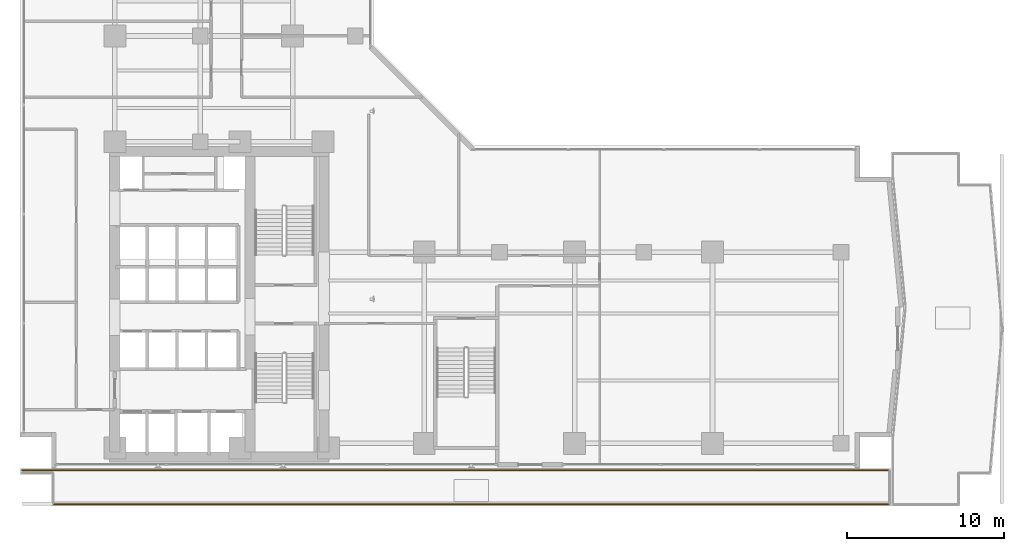
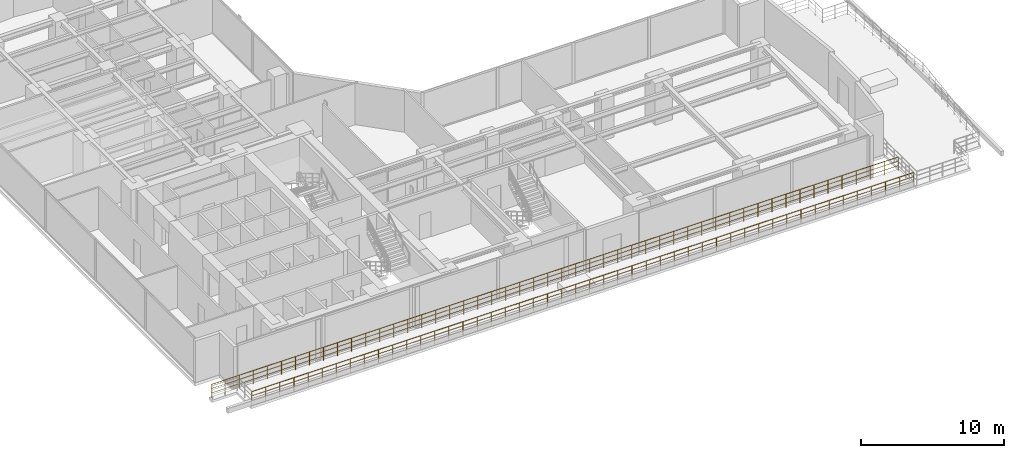
# One storey, part 22 of 26: 2 railings.
"""IFC4 building model written with IfcOpenShell, lengths in metres."""

from ifc_helpers import new_model, si_unit, direction, frame, origin, origin_2d, place, context, subcontext, project, spatial, circle, extrude, material, type_object, element, save


model = new_model("IFC4")

# Units and contexts
model_context = context("Model", 3, precision=1e-05, world=origin(), true_north=direction((0.0, 1.0)))
body_context = subcontext(model_context, "Body", "Model", "MODEL_VIEW")
ifc_project = project(units=[si_unit("LENGTHUNIT", "METRE"), si_unit("AREAUNIT", "SQUARE_METRE"), si_unit("VOLUMEUNIT", "CUBIC_METRE"), si_unit("PLANEANGLEUNIT", "RADIAN"), si_unit("MASSUNIT", "GRAM", prefix="KILO")], contexts=[model_context])

# Site, building, storey
site_placement = place(None, origin())
site = spatial("IfcSite", under=ifc_project, at=site_placement, CompositionType="ELEMENT")
building_placement = place(site_placement, origin())
building = spatial("IfcBuilding", under=site, at=building_placement, Name="Kolvaren Waterfront Exchange", CompositionType="ELEMENT")
storey_placement = place(building_placement, frame((0.0, 0.0, 87.89990234375)))
storey = spatial("IfcBuildingStorey", under=building, at=storey_placement, Name="L22", CompositionType="ELEMENT", Elevation=87.89990234375)

# Railings
ifc_material = material(Name="Anodised bronze aluminium 6063-T6", Category="aluminium")
railing_type = type_object("IfcRailingType", Name="ARC-GUARD-EXT", PredefinedType="GUARDRAIL", material=ifc_material)
railing_1_placement = place(storey_placement, frame((1.52001953125, 3.489990234375, 0.0)))
element("IfcRailing", 1, at=railing_1_placement, inside=storey, type_object=railing_type, Name="L22 sky-garden perimeter balustrade 2", PredefinedType="GUARDRAIL", context=body_context, shape_type="SweptSolid", body=[
    extrude(circle(Radius=0.02392578125, at=origin_2d()), frame((0.0, 0.0, 1.1259765625), z_axis=(1.0, 0.0, 0.0), x_axis=(0.0, 1.0, 0.0)), (0.0, 0.0, 1.0), 55.35009765625),
    extrude(circle(Radius=0.01611328125, at=origin_2d()), frame((0.0, 0.0, 0.390869140625), z_axis=(1.0, 0.0, 0.0), x_axis=(0.0, 1.0, 0.0)), (0.0, 0.0, 1.0), 55.35009765625),
    extrude(circle(Radius=0.01611328125, at=origin_2d()), frame((0.0, 0.0, 0.7705078125), z_axis=(1.0, 0.0, 0.0), x_axis=(0.0, 1.0, 0.0)), (0.0, 0.0, 1.0), 55.35009765625),
    extrude(circle(Radius=0.02099609375, at=origin_2d()), origin(), (0.0, 0.0, 1.0), 1.101806640625),
    extrude(circle(Radius=0.02099609375, at=origin_2d()), frame((1.129638671875, 0.0, 0.0)), (0.0, 0.0, 1.0), 1.101806640625),
    extrude(circle(Radius=0.02099609375, at=origin_2d()), frame((2.25927734375, 0.0, 0.0)), (0.0, 0.0, 1.0), 1.101806640625),
    extrude(circle(Radius=0.02099609375, at=origin_2d()), frame((3.388671875, 0.0, 0.0)), (0.0, 0.0, 1.0), 1.101806640625),
    extrude(circle(Radius=0.02099609375, at=origin_2d()), frame((4.518310546875, 0.0, 0.0)), (0.0, 0.0, 1.0), 1.101806640625),
    extrude(circle(Radius=0.02099609375, at=origin_2d()), frame((5.64794921875, 0.0, 0.0)), (0.0, 0.0, 1.0), 1.101806640625),
    extrude(circle(Radius=0.02099609375, at=origin_2d()), frame((6.777587890625, 0.0, 0.0)), (0.0, 0.0, 1.0), 1.101806640625),
    extrude(circle(Radius=0.02099609375, at=origin_2d()), frame((7.9072265625, 0.0, 0.0)), (0.0, 0.0, 1.0), 1.101806640625),
    extrude(circle(Radius=0.02099609375, at=origin_2d()), frame((9.036865234375, 0.0, 0.0)), (0.0, 0.0, 1.0), 1.101806640625),
    extrude(circle(Radius=0.02099609375, at=origin_2d()), frame((10.166259765625, 0.0, 0.0)), (0.0, 0.0, 1.0), 1.101806640625),
    extrude(circle(Radius=0.02099609375, at=origin_2d()), frame((11.2958984375, 0.0, 0.0)), (0.0, 0.0, 1.0), 1.101806640625),
    extrude(circle(Radius=0.02099609375, at=origin_2d()), frame((12.425537109375, 0.0, 0.0)), (0.0, 0.0, 1.0), 1.101806640625),
    extrude(circle(Radius=0.02099609375, at=origin_2d()), frame((13.55517578125, 0.0, 0.0)), (0.0, 0.0, 1.0), 1.101806640625),
    extrude(circle(Radius=0.02099609375, at=origin_2d()), frame((14.684814453125, 0.0, 0.0)), (0.0, 0.0, 1.0), 1.101806640625),
    extrude(circle(Radius=0.02099609375, at=origin_2d()), frame((15.814208984375, 0.0, 0.0)), (0.0, 0.0, 1.0), 1.101806640625),
    extrude(circle(Radius=0.02099609375, at=origin_2d()), frame((16.94384765625, 0.0, 0.0)), (0.0, 0.0, 1.0), 1.101806640625),
    extrude(circle(Radius=0.02099609375, at=origin_2d()), frame((18.073486328125, 0.0, 0.0)), (0.0, 0.0, 1.0), 1.101806640625),
    extrude(circle(Radius=0.02099609375, at=origin_2d()), frame((19.203125, 0.0, 0.0)), (0.0, 0.0, 1.0), 1.101806640625),
    extrude(circle(Radius=0.02099609375, at=origin_2d()), frame((20.332763671875, 0.0, 0.0)), (0.0, 0.0, 1.0), 1.101806640625),
    extrude(circle(Radius=0.02099609375, at=origin_2d()), frame((21.46240234375, 0.0, 0.0)), (0.0, 0.0, 1.0), 1.101806640625),
    extrude(circle(Radius=0.02099609375, at=origin_2d()), frame((22.591796875, 0.0, 0.0)), (0.0, 0.0, 1.0), 1.101806640625),
    extrude(circle(Radius=0.02099609375, at=origin_2d()), frame((23.721435546875, 0.0, 0.0)), (0.0, 0.0, 1.0), 1.101806640625),
    extrude(circle(Radius=0.02099609375, at=origin_2d()), frame((24.85107421875, 0.0, 0.0)), (0.0, 0.0, 1.0), 1.101806640625),
    extrude(circle(Radius=0.02099609375, at=origin_2d()), frame((25.980712890625, 0.0, 0.0)), (0.0, 0.0, 1.0), 1.101806640625),
    extrude(circle(Radius=0.02099609375, at=origin_2d()), frame((27.1103515625, 0.0, 0.0)), (0.0, 0.0, 1.0), 1.101806640625),
    extrude(circle(Radius=0.02099609375, at=origin_2d()), frame((28.23974609375, 0.0, 0.0)), (0.0, 0.0, 1.0), 1.101806640625),
    extrude(circle(Radius=0.02099609375, at=origin_2d()), frame((29.369384765625, 0.0, 0.0)), (0.0, 0.0, 1.0), 1.101806640625),
    extrude(circle(Radius=0.02099609375, at=origin_2d()), frame((30.4990234375, 0.0, 0.0)), (0.0, 0.0, 1.0), 1.101806640625),
    extrude(circle(Radius=0.02099609375, at=origin_2d()), frame((31.628662109375, 0.0, 0.0)), (0.0, 0.0, 1.0), 1.101806640625),
    extrude(circle(Radius=0.02099609375, at=origin_2d()), frame((32.75830078125, 0.0, 0.0)), (0.0, 0.0, 1.0), 1.101806640625),
    extrude(circle(Radius=0.02099609375, at=origin_2d()), frame((33.8876953125, 0.0, 0.0)), (0.0, 0.0, 1.0), 1.101806640625),
    extrude(circle(Radius=0.02099609375, at=origin_2d()), frame((35.017333984375, 0.0, 0.0)), (0.0, 0.0, 1.0), 1.101806640625),
    extrude(circle(Radius=0.02099609375, at=origin_2d()), frame((36.14697265625, 0.0, 0.0)), (0.0, 0.0, 1.0), 1.101806640625),
    extrude(circle(Radius=0.02099609375, at=origin_2d()), frame((37.276611328125, 0.0, 0.0)), (0.0, 0.0, 1.0), 1.101806640625),
    extrude(circle(Radius=0.02099609375, at=origin_2d()), frame((38.40625, 0.0, 0.0)), (0.0, 0.0, 1.0), 1.101806640625),
    extrude(circle(Radius=0.02099609375, at=origin_2d()), frame((39.535888671875, 0.0, 0.0)), (0.0, 0.0, 1.0), 1.101806640625),
    extrude(circle(Radius=0.02099609375, at=origin_2d()), frame((40.665283203125, 0.0, 0.0)), (0.0, 0.0, 1.0), 1.101806640625),
    extrude(circle(Radius=0.02099609375, at=origin_2d()), frame((41.794921875, 0.0, 0.0)), (0.0, 0.0, 1.0), 1.101806640625),
    extrude(circle(Radius=0.02099609375, at=origin_2d()), frame((42.924560546875, 0.0, 0.0)), (0.0, 0.0, 1.0), 1.101806640625),
    extrude(circle(Radius=0.02099609375, at=origin_2d()), frame((44.05419921875, 0.0, 0.0)), (0.0, 0.0, 1.0), 1.101806640625),
    extrude(circle(Radius=0.02099609375, at=origin_2d()), frame((45.183837890625, 0.0, 0.0)), (0.0, 0.0, 1.0), 1.101806640625),
    extrude(circle(Radius=0.02099609375, at=origin_2d()), frame((46.313232421875, 0.0, 0.0)), (0.0, 0.0, 1.0), 1.101806640625),
    extrude(circle(Radius=0.02099609375, at=origin_2d()), frame((47.44287109375, 0.0, 0.0)), (0.0, 0.0, 1.0), 1.101806640625),
    extrude(circle(Radius=0.02099609375, at=origin_2d()), frame((48.572509765625, 0.0, 0.0)), (0.0, 0.0, 1.0), 1.101806640625),
    extrude(circle(Radius=0.02099609375, at=origin_2d()), frame((49.7021484375, 0.0, 0.0)), (0.0, 0.0, 1.0), 1.101806640625),
    extrude(circle(Radius=0.02099609375, at=origin_2d()), frame((50.831787109375, 0.0, 0.0)), (0.0, 0.0, 1.0), 1.101806640625),
    extrude(circle(Radius=0.02099609375, at=origin_2d()), frame((51.96142578125, 0.0, 0.0)), (0.0, 0.0, 1.0), 1.101806640625),
    extrude(circle(Radius=0.02099609375, at=origin_2d()), frame((53.0908203125, 0.0, 0.0)), (0.0, 0.0, 1.0), 1.101806640625),
    extrude(circle(Radius=0.02099609375, at=origin_2d()), frame((54.220458984375, 0.0, 0.0)), (0.0, 0.0, 1.0), 1.101806640625),
    extrude(circle(Radius=0.02099609375, at=origin_2d()), frame((55.35009765625, 0.0, 0.0)), (0.0, 0.0, 1.0), 1.101806640625),
])
railing_2_placement = place(storey_placement, frame((56.8701171875, 1.320068359375, 0.0)))
element("IfcRailing", 2, at=railing_2_placement, inside=storey, type_object=railing_type, Name="L22 sky-garden perimeter balustrade 2", PredefinedType="GUARDRAIL", context=body_context, shape_type="SweptSolid", body=[
    extrude(circle(Radius=0.02392578125, at=origin_2d()), frame((0.0, 0.0, 1.1259765625), z_axis=(-1.0, 0.0, 0.0), x_axis=(0.0, -1.0, 0.0)), (0.0, 0.0, 1.0), 53.35009765625),
    extrude(circle(Radius=0.01611328125, at=origin_2d()), frame((0.0, 0.0, 0.390869140625), z_axis=(-1.0, 0.0, 0.0), x_axis=(0.0, -1.0, 0.0)), (0.0, 0.0, 1.0), 53.35009765625),
    extrude(circle(Radius=0.01611328125, at=origin_2d()), frame((0.0, 0.0, 0.7705078125), z_axis=(-1.0, 0.0, 0.0), x_axis=(0.0, -1.0, 0.0)), (0.0, 0.0, 1.0), 53.35009765625),
    extrude(circle(Radius=0.02099609375, at=origin_2d()), origin(), (0.0, 0.0, 1.0), 1.101806640625),
    extrude(circle(Radius=0.02099609375, at=origin_2d()), frame((-1.135009765625, 0.0, 0.0)), (0.0, 0.0, 1.0), 1.101806640625),
    extrude(circle(Radius=0.02099609375, at=origin_2d()), frame((-2.270263671875, 0.0, 0.0)), (0.0, 0.0, 1.0), 1.101806640625),
    extrude(circle(Radius=0.02099609375, at=origin_2d()), frame((-3.4052734375, 0.0, 0.0)), (0.0, 0.0, 1.0), 1.101806640625),
    extrude(circle(Radius=0.02099609375, at=origin_2d()), frame((-4.54052734375, 0.0, 0.0)), (0.0, 0.0, 1.0), 1.101806640625),
    extrude(circle(Radius=0.02099609375, at=origin_2d()), frame((-5.675537109375, 0.0, 0.0)), (0.0, 0.0, 1.0), 1.101806640625),
    extrude(circle(Radius=0.02099609375, at=origin_2d()), frame((-6.810546875, 0.0, 0.0)), (0.0, 0.0, 1.0), 1.101806640625),
    extrude(circle(Radius=0.02099609375, at=origin_2d()), frame((-7.94580078125, 0.0, 0.0)), (0.0, 0.0, 1.0), 1.101806640625),
    extrude(circle(Radius=0.02099609375, at=origin_2d()), frame((-9.080810546875, 0.0, 0.0)), (0.0, 0.0, 1.0), 1.101806640625),
    extrude(circle(Radius=0.02099609375, at=origin_2d()), frame((-10.216064453125, 0.0, 0.0)), (0.0, 0.0, 1.0), 1.101806640625),
    extrude(circle(Radius=0.02099609375, at=origin_2d()), frame((-11.35107421875, 0.0, 0.0)), (0.0, 0.0, 1.0), 1.101806640625),
    extrude(circle(Radius=0.02099609375, at=origin_2d()), frame((-12.486083984375, 0.0, 0.0)), (0.0, 0.0, 1.0), 1.101806640625),
    extrude(circle(Radius=0.02099609375, at=origin_2d()), frame((-13.621337890625, 0.0, 0.0)), (0.0, 0.0, 1.0), 1.101806640625),
    extrude(circle(Radius=0.02099609375, at=origin_2d()), frame((-14.75634765625, 0.0, 0.0)), (0.0, 0.0, 1.0), 1.101806640625),
    extrude(circle(Radius=0.02099609375, at=origin_2d()), frame((-15.8916015625, 0.0, 0.0)), (0.0, 0.0, 1.0), 1.101806640625),
    extrude(circle(Radius=0.02099609375, at=origin_2d()), frame((-17.026611328125, 0.0, 0.0)), (0.0, 0.0, 1.0), 1.101806640625),
    extrude(circle(Radius=0.02099609375, at=origin_2d()), frame((-18.16162109375, 0.0, 0.0)), (0.0, 0.0, 1.0), 1.101806640625),
    extrude(circle(Radius=0.02099609375, at=origin_2d()), frame((-19.296875, 0.0, 0.0)), (0.0, 0.0, 1.0), 1.101806640625),
    extrude(circle(Radius=0.02099609375, at=origin_2d()), frame((-20.431884765625, 0.0, 0.0)), (0.0, 0.0, 1.0), 1.101806640625),
    extrude(circle(Radius=0.02099609375, at=origin_2d()), frame((-21.567138671875, 0.0, 0.0)), (0.0, 0.0, 1.0), 1.101806640625),
    extrude(circle(Radius=0.02099609375, at=origin_2d()), frame((-22.7021484375, 0.0, 0.0)), (0.0, 0.0, 1.0), 1.101806640625),
    extrude(circle(Radius=0.02099609375, at=origin_2d()), frame((-23.837158203125, 0.0, 0.0)), (0.0, 0.0, 1.0), 1.101806640625),
    extrude(circle(Radius=0.02099609375, at=origin_2d()), frame((-24.972412109375, 0.0, 0.0)), (0.0, 0.0, 1.0), 1.101806640625),
    extrude(circle(Radius=0.02099609375, at=origin_2d()), frame((-26.107421875, 0.0, 0.0)), (0.0, 0.0, 1.0), 1.101806640625),
    extrude(circle(Radius=0.02099609375, at=origin_2d()), frame((-27.24267578125, 0.0, 0.0)), (0.0, 0.0, 1.0), 1.101806640625),
    extrude(circle(Radius=0.02099609375, at=origin_2d()), frame((-28.377685546875, 0.0, 0.0)), (0.0, 0.0, 1.0), 1.101806640625),
    extrude(circle(Radius=0.02099609375, at=origin_2d()), frame((-29.512939453125, 0.0, 0.0)), (0.0, 0.0, 1.0), 1.101806640625),
    extrude(circle(Radius=0.02099609375, at=origin_2d()), frame((-30.64794921875, 0.0, 0.0)), (0.0, 0.0, 1.0), 1.101806640625),
    extrude(circle(Radius=0.02099609375, at=origin_2d()), frame((-31.782958984375, 0.0, 0.0)), (0.0, 0.0, 1.0), 1.101806640625),
    extrude(circle(Radius=0.02099609375, at=origin_2d()), frame((-32.918212890625, 0.0, 0.0)), (0.0, 0.0, 1.0), 1.101806640625),
    extrude(circle(Radius=0.02099609375, at=origin_2d()), frame((-34.05322265625, 0.0, 0.0)), (0.0, 0.0, 1.0), 1.101806640625),
    extrude(circle(Radius=0.02099609375, at=origin_2d()), frame((-35.1884765625, 0.0, 0.0)), (0.0, 0.0, 1.0), 1.101806640625),
    extrude(circle(Radius=0.02099609375, at=origin_2d()), frame((-36.323486328125, 0.0, 0.0)), (0.0, 0.0, 1.0), 1.101806640625),
    extrude(circle(Radius=0.02099609375, at=origin_2d()), frame((-37.45849609375, 0.0, 0.0)), (0.0, 0.0, 1.0), 1.101806640625),
    extrude(circle(Radius=0.02099609375, at=origin_2d()), frame((-38.59375, 0.0, 0.0)), (0.0, 0.0, 1.0), 1.101806640625),
    extrude(circle(Radius=0.02099609375, at=origin_2d()), frame((-39.728759765625, 0.0, 0.0)), (0.0, 0.0, 1.0), 1.101806640625),
    extrude(circle(Radius=0.02099609375, at=origin_2d()), frame((-40.864013671875, 0.0, 0.0)), (0.0, 0.0, 1.0), 1.101806640625),
    extrude(circle(Radius=0.02099609375, at=origin_2d()), frame((-41.9990234375, 0.0, 0.0)), (0.0, 0.0, 1.0), 1.101806640625),
    extrude(circle(Radius=0.02099609375, at=origin_2d()), frame((-43.134033203125, 0.0, 0.0)), (0.0, 0.0, 1.0), 1.101806640625),
    extrude(circle(Radius=0.02099609375, at=origin_2d()), frame((-44.269287109375, 0.0, 0.0)), (0.0, 0.0, 1.0), 1.101806640625),
    extrude(circle(Radius=0.02099609375, at=origin_2d()), frame((-45.404296875, 0.0, 0.0)), (0.0, 0.0, 1.0), 1.101806640625),
    extrude(circle(Radius=0.02099609375, at=origin_2d()), frame((-46.53955078125, 0.0, 0.0)), (0.0, 0.0, 1.0), 1.101806640625),
    extrude(circle(Radius=0.02099609375, at=origin_2d()), frame((-47.674560546875, 0.0, 0.0)), (0.0, 0.0, 1.0), 1.101806640625),
    extrude(circle(Radius=0.02099609375, at=origin_2d()), frame((-48.8095703125, 0.0, 0.0)), (0.0, 0.0, 1.0), 1.101806640625),
    extrude(circle(Radius=0.02099609375, at=origin_2d()), frame((-49.94482421875, 0.0, 0.0)), (0.0, 0.0, 1.0), 1.101806640625),
    extrude(circle(Radius=0.02099609375, at=origin_2d()), frame((-51.079833984375, 0.0, 0.0)), (0.0, 0.0, 1.0), 1.101806640625),
    extrude(circle(Radius=0.02099609375, at=origin_2d()), frame((-52.215087890625, 0.0, 0.0)), (0.0, 0.0, 1.0), 1.101806640625),
    extrude(circle(Radius=0.02099609375, at=origin_2d()), frame((-53.35009765625, 0.0, 0.0)), (0.0, 0.0, 1.0), 1.101806640625),
])

save(model, "model.ifc")
